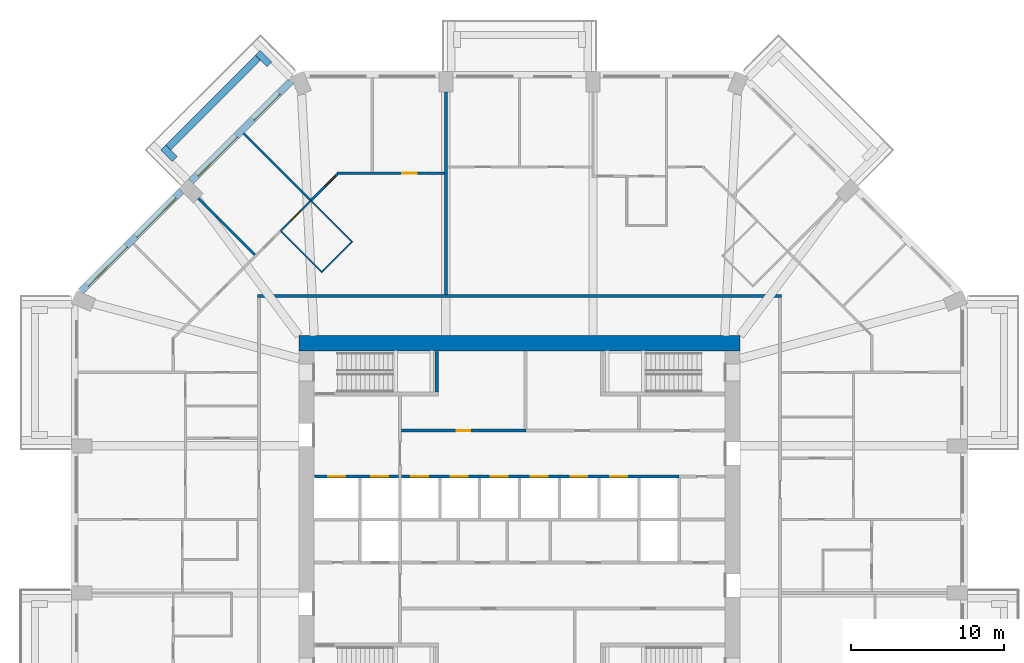
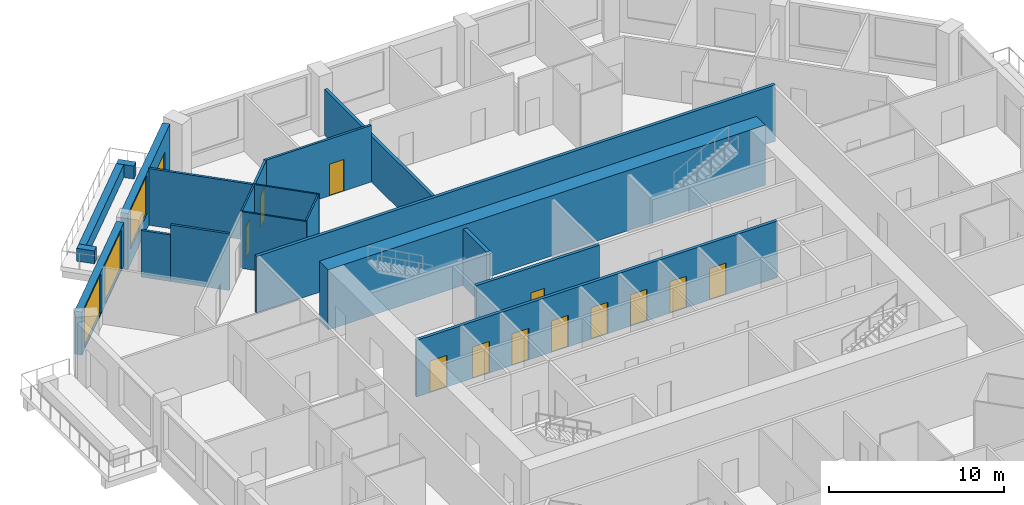
# One storey, part 8 of 13: 20 walls, 13 doors, 3 windows, 16 openings.
"""IFC4 building model written with IfcOpenShell, lengths in metres."""

from ifc_helpers import new_model, si_unit, direction, frame, frame_2d, origin, place, context, subcontext, project, spatial, rectangle, extrude, material, layer, layer_set, type_object, element, fill, save


model = new_model("IFC4")

# Units and contexts
model_context = context("Model", 3, precision=1e-05, world=origin(), true_north=direction((0.0, 1.0)))
body_context = subcontext(model_context, "Body", "Model", "MODEL_VIEW")
ifc_project = project(units=[si_unit("LENGTHUNIT", "METRE"), si_unit("AREAUNIT", "SQUARE_METRE"), si_unit("VOLUMEUNIT", "CUBIC_METRE"), si_unit("PLANEANGLEUNIT", "RADIAN"), si_unit("MASSUNIT", "GRAM", prefix="KILO")], contexts=[model_context])

# Site, building, storey
site_placement = place(None, origin())
site = spatial("IfcSite", under=ifc_project, at=site_placement, CompositionType="ELEMENT")
building_placement = place(site_placement, origin())
building = spatial("IfcBuilding", under=site, at=building_placement, Name="Msitu Wima Residences", CompositionType="ELEMENT")
storey_placement = place(building_placement, frame((0.0, 0.0, 59.10009765625)))
storey = spatial("IfcBuildingStorey", under=building, at=storey_placement, Name="L13", CompositionType="ELEMENT", Elevation=59.10009765625)

# Walls
ifc_material_1 = material(Name="Facing brick")
ifc_layer_1 = layer(ifc_material_1, 0.06494140625, Name="Facing brick")
ifc_material_2 = material(Name="Concrete C40/50", Category="concrete")
ifc_layer_2 = layer(ifc_material_2, 0.156005859375, Name="Concrete C40/50")
ifc_material_3 = material(Name="Waterproofing membrane")
ifc_layer_3 = layer(ifc_material_3, 0.00390625, Name="Waterproofing membrane")
ifc_material_4 = material(Name="Planting soil and planting")
ifc_layer_4 = layer(ifc_material_4, 0.22509765625, Name="Planting soil and planting")
ifc_layer_set_1 = layer_set([ifc_layer_1, ifc_layer_2, ifc_layer_3, ifc_layer_4], Name="Concrete C40/50")
wall_type_1 = type_object("IfcWallType", Name="Balcony planter PLANTER PL450", PredefinedType="USERDEFINED", material=ifc_layer_set_1)
wall_1_placement = place(storey_placement, frame((-17.0693359375, 30.125732421875, 0.0), z_axis=(0.0, 0.0, 1.0), x_axis=(-0.707106781187, -0.707106781187, 0.0)))
element("IfcWall", 1, at=wall_1_placement, inside=storey, type_object=wall_type_1, Name="Balcony planter NW0 L13", ObjectType="PLANTER", PredefinedType="USERDEFINED", context=body_context, shape_type="SweptSolid", body=[
    extrude(rectangle(XDim=8.2822265625, YDim=0.449951171875, at=frame_2d((4.14111328125, 0.0))), origin(), (0.0, 0.0, 1.0), 0.89990234375),
])
for number, where, z_axis, x_axis, name in (
    (2, (-16.326904296875, 29.70166015625, 0.0), (0.0, 0.0, 1.0), (-0.707106781187, 0.707106781187, 0.0), "Balcony planter NW0 L13"),
    (3, (-22.50146484375, 23.52685546875, 0.0), (0.0, 0.0, 1.0), (-0.707223014731, 0.706990528533, 0.0), "Balcony planter NW0 L13"),
):
    element("IfcWall", number, at=place(storey_placement, frame(where, z_axis=z_axis, x_axis=x_axis)), inside=storey, type_object=wall_type_1, Name=name, ObjectType="PLANTER", PredefinedType="USERDEFINED", context=body_context, shape_type="SweptSolid", body=[
        extrude(rectangle(XDim=1.050048828125, YDim=0.449951171875, at=frame_2d((0.52490234375, 0.0))), origin(), (0.0, 0.0, 1.0), 0.89990234375),
    ])

# Wall, openings, door, window
ifc_material_5 = material(Name="Brick (red buff mix)", Category="masonry")
ifc_layer_5 = layer(ifc_material_5, 0.449951171875)
ifc_layer_set_2 = layer_set([ifc_layer_5], Name="Brick (red buff mix)")
wall_type_2 = type_object("IfcWallType", Name="Brick infill wall BW450", PredefinedType="SOLIDWALL", material=ifc_layer_set_2)
wall_2_placement = place(storey_placement, frame((-14.903564453125, 28.61474609375, 0.0), z_axis=(0.0, 0.0, 1.0), x_axis=(-0.707106781187, -0.707106781187, 0.0)))
wall_2 = element("IfcWall", 4, at=wall_2_placement, inside=storey, type_object=wall_type_2, Name="Brick infill wall L13 NW0", PredefinedType="SOLIDWALL", context=body_context, shape_type="SweptSolid", body=[
    extrude(rectangle(XDim=9.2451171875, YDim=0.449951171875, at=frame_2d((4.62255859375, 0.0))), origin(), (0.0, 0.0, 1.0), 3.89990234375),
])
opening_1_placement = place(wall_2_placement, frame((1.111328125, 0.0, 0.0)))
opening_1 = element("IfcOpeningElement", 5, at=opening_1_placement, cuts=wall_2, Name="Opening D13-15.005", PredefinedType="OPENING", context=body_context, shape_type="SweptSolid", body=[
    extrude(rectangle(XDim=2.39990234375, YDim=2.699951171875, at=frame_2d((1.199951171875, 1.35009765625))), frame((0.0, 0.23486328125, 0.0), z_axis=(0.0, -1.0, 0.0), x_axis=(1.0, 0.0, 0.0)), (0.0, 0.0, 1.0), 0.469970703125),
])
opening_2_placement = place(wall_2_placement, frame((5.072509765625, 0.0, 1.050048828125)))
opening_2 = element("IfcOpeningElement", 6, at=opening_2_placement, cuts=wall_2, Name="Opening W13-15.013", PredefinedType="OPENING", context=body_context, shape_type="SweptSolid", body=[
    extrude(rectangle(XDim=3.60009765625, YDim=2.699951171875, at=frame_2d((1.800048828125, 1.35009765625))), frame((0.0, 0.23486328125, 0.0), z_axis=(0.0, -1.0, 0.0), x_axis=(1.0, 0.0, 0.0)), (0.0, 0.0, 1.0), 0.469970703125),
])
ifc_material_6 = material(Name="Anodised aluminium, bronze finish, clear low-emissivity double glazing", Category="aluminium")
door_type_1 = type_object("IfcDoorType", Name="Balcony door D2400x2700", OperationType="SLIDING_TO_LEFT", PredefinedType="DOOR", material=ifc_material_6)
door_1_placement = place(opening_1_placement, origin())
door_1 = element("IfcDoor", 7, at=door_1_placement, inside=storey, type_object=door_type_1, Name="Balcony door L13 NW0", OperationType="SINGLE_SWING_LEFT", OverallHeight=2.699951171875, OverallWidth=2.39990234375, PredefinedType="DOOR", context=body_context, shape_type="SweptSolid", body=[
    extrude(rectangle(XDim=2.39990234375, YDim=2.699951171875, at=frame_2d((1.199951171875, 1.35009765625))), frame((0.0, 0.1298828125, 0.0), z_axis=(0.0, -1.0, 0.0), x_axis=(1.0, 0.0, 0.0)), (0.0, 0.0, 1.0), 0.050048828125),
])
fill(opening_1, door_1)
window_type = type_object("IfcWindowType", Name="Window W3600x2700", PartitioningType="DOUBLE_PANEL_VERTICAL", PredefinedType="WINDOW", material=ifc_material_6)
window_1_placement = place(opening_2_placement, origin())
window_1 = element("IfcWindow", 8, at=window_1_placement, inside=storey, type_object=window_type, Name="Window L13 NW0.2", OverallHeight=2.699951171875, OverallWidth=3.60009765625, PartitioningType="SINGLE_PANEL", PredefinedType="WINDOW", context=body_context, shape_type="SweptSolid", body=[
    extrude(rectangle(XDim=3.60009765625, YDim=2.699951171875, at=frame_2d((1.800048828125, 1.35009765625))), frame((0.0, 0.135009765625, 0.0), z_axis=(0.0, -1.0, 0.0), x_axis=(1.0, 0.0, 0.0)), (0.0, 0.0, 1.0), 0.06005859375),
])
fill(opening_2, window_1)

# Wall, openings, windows
wall_3_placement = place(storey_placement, frame((-22.077392578125, 21.44091796875, 0.89990234375), z_axis=(0.0, 0.0, 1.0), x_axis=(-0.707106781187, -0.707106781187, 0.0)))
wall_3 = element("IfcWall", 9, at=wall_3_placement, inside=storey, type_object=wall_type_2, Name="Brick infill wall L13 NW1", PredefinedType="SOLIDWALL", context=body_context, shape_type="SweptSolid", body=[
    extrude(rectangle(XDim=9.2451171875, YDim=0.449951171875, at=frame_2d((4.62255859375, 0.0))), origin(), (0.0, 0.0, 1.0), 3.0),
])
opening_3_placement = place(wall_3_placement, frame((0.572509765625, 0.0, 0.14990234375)))
opening_3 = element("IfcOpeningElement", 10, at=opening_3_placement, cuts=wall_3, Name="Opening W13-15.014", PredefinedType="OPENING", context=body_context, shape_type="SweptSolid", body=[
    extrude(rectangle(XDim=3.60009765625, YDim=2.699951171875, at=frame_2d((1.800048828125, 1.35009765625))), frame((0.0, 0.23486328125, 0.0), z_axis=(0.0, -1.0, 0.0), x_axis=(1.0, 0.0, 0.0)), (0.0, 0.0, 1.0), 0.469970703125),
])
opening_4_placement = place(wall_3_placement, frame((5.072509765625, 0.0, 0.14990234375)))
opening_4 = element("IfcOpeningElement", 11, at=opening_4_placement, cuts=wall_3, Name="Opening W13-15.015", PredefinedType="OPENING", context=body_context, shape_type="SweptSolid", body=[
    extrude(rectangle(XDim=3.60009765625, YDim=2.699951171875, at=frame_2d((1.800048828125, 1.35009765625))), frame((0.0, 0.23486328125, 0.0), z_axis=(0.0, -1.0, 0.0), x_axis=(1.0, 0.0, 0.0)), (0.0, 0.0, 1.0), 0.469970703125),
])
window_2_placement = place(opening_3_placement, origin())
window_2 = element("IfcWindow", 12, at=window_2_placement, inside=storey, type_object=window_type, Name="Window L13 NW1.1", OverallHeight=2.699951171875, OverallWidth=3.60009765625, PartitioningType="SINGLE_PANEL", PredefinedType="WINDOW", context=body_context, shape_type="SweptSolid", body=[
    extrude(rectangle(XDim=3.60009765625, YDim=2.699951171875, at=frame_2d((1.800048828125, 1.35009765625))), frame((0.0, 0.135009765625, 0.0), z_axis=(0.0, -1.0, 0.0), x_axis=(1.0, 0.0, 0.0)), (0.0, 0.0, 1.0), 0.06005859375),
])
fill(opening_3, window_2)
window_3_placement = place(opening_4_placement, origin())
window_3 = element("IfcWindow", 13, at=window_3_placement, inside=storey, type_object=window_type, Name="Window L13 NW1.2", OverallHeight=2.699951171875, OverallWidth=3.60009765625, PartitioningType="SINGLE_PANEL", PredefinedType="WINDOW", context=body_context, shape_type="SweptSolid", body=[
    extrude(rectangle(XDim=3.60009765625, YDim=2.699951171875, at=frame_2d((1.800048828125, 1.35009765625))), frame((0.0, 0.135009765625, 0.0), z_axis=(0.0, -1.0, 0.0), x_axis=(1.0, 0.0, 0.0)), (0.0, 0.0, 1.0), 0.06005859375),
])
fill(opening_4, window_3)

# Walls
ifc_material_7 = material(Name="Concrete C80/95", Category="concrete")
ifc_layer_6 = layer(ifc_material_7, 1.0)
ifc_layer_set_3 = layer_set([ifc_layer_6], Name="Concrete C80/95")
wall_type_3 = type_object("IfcWallType", Name="Core wall CW1000 C80/95", PredefinedType="SHEAR", material=ifc_layer_set_3)
wall_4_placement = place(storey_placement, frame((-14.39990234375, 11.5, 0.0), z_axis=(0.0, 0.0, 1.0), x_axis=(1.0, 0.0, 0.0)))
element("IfcWall", 14, at=wall_4_placement, inside=storey, type_object=wall_type_3, Name="Core wall", PredefinedType="SHEAR", context=body_context, shape_type="SweptSolid", body=[
    extrude(rectangle(XDim=28.7998046875, YDim=1.0, at=frame_2d((14.39990234375, 0.0))), origin(), (0.0, 0.0, 1.0), 4.199951171875),
])
ifc_material_8 = material(Name="Plaster")
ifc_layer_7 = layer(ifc_material_8, 0.011962890625, Name="Plaster")
ifc_material_9 = material(Name="Concrete blockwork", Category="masonry")
ifc_layer_8 = layer(ifc_material_9, 0.176025390625, Name="Concrete blockwork")
ifc_layer_9 = layer(ifc_material_8, 0.011962890625, Name="Plaster")
ifc_layer_set_4 = layer_set([ifc_layer_7, ifc_layer_8, ifc_layer_9], Name="Concrete blockwork")
wall_type_4 = type_object("IfcWallType", Name="Corridor wall FW200", PredefinedType="PARTITIONING", material=ifc_layer_set_4)
wall_5_placement = place(storey_placement, frame((-17.10009765625, 14.60009765625, 0.0), z_axis=(0.0, 0.0, 1.0), x_axis=(1.0, 0.0, 0.0)))
element("IfcWall", 15, at=wall_5_placement, inside=storey, type_object=wall_type_4, Name="Corridor wall", PredefinedType="PARTITIONING", context=body_context, shape_type="SweptSolid", body=[
    extrude(rectangle(XDim=34.2001953125, YDim=0.199951171875, at=frame_2d((17.10009765625, 0.0))), origin(), (0.0, 0.0, 1.0), 3.949951171875),
])

# Wall, opening, door
wall_6_placement = place(storey_placement, frame((-7.699951171875, 5.800048828125, 0.0), z_axis=(0.0, 0.0, 1.0), x_axis=(1.0, 0.0, 0.0)))
wall_6 = element("IfcWall", 16, at=wall_6_placement, inside=storey, type_object=wall_type_4, Name="Corridor wall", PredefinedType="PARTITIONING", context=body_context, shape_type="SweptSolid", body=[
    extrude(rectangle(XDim=8.119873046875, YDim=0.199951171875, at=frame_2d((4.06005859375, 0.0))), origin(), (0.0, 0.0, 1.0), 3.949951171875),
])
opening_5_placement = place(wall_6_placement, frame((3.60009765625, 0.0, 0.0)))
opening_5 = element("IfcOpeningElement", 17, at=opening_5_placement, cuts=wall_6, Name="Opening D13-15.019", PredefinedType="OPENING", context=body_context, shape_type="SweptSolid", body=[
    extrude(rectangle(XDim=0.89990234375, YDim=2.199951171875, at=frame_2d((0.449951171875, 1.10009765625))), frame((0.0, 0.10986328125, 0.0), z_axis=(0.0, -1.0, 0.0), x_axis=(1.0, 0.0, 0.0)), (0.0, 0.0, 1.0), 0.219970703125),
])
ifc_material_10 = material(Name="Timber flush door", Category="wood")
door_type_2 = type_object("IfcDoorType", Name="Service door D05 900x2200", OperationType="SINGLE_SWING_LEFT", PredefinedType="DOOR", material=ifc_material_10)
door_2_placement = place(opening_5_placement, origin())
door_2 = element("IfcDoor", 18, at=door_2_placement, inside=storey, type_object=door_type_2, Name="Service door", OperationType="SINGLE_SWING_LEFT", OverallHeight=2.199951171875, OverallWidth=0.89990234375, PredefinedType="DOOR", context=body_context, shape_type="SweptSolid", body=[
    extrude(rectangle(XDim=0.89990234375, YDim=2.199951171875, at=frame_2d((0.449951171875, 1.10009765625))), frame((0.0, 0.02490234375, 0.0), z_axis=(0.0, -1.0, 0.0), x_axis=(1.0, 0.0, 0.0)), (0.0, 0.0, 1.0), 0.050048828125),
])
fill(opening_5, door_2)

# Walls
ifc_layer_10 = layer(ifc_material_8, 0.011962890625, Name="Plaster")
ifc_layer_11 = layer(ifc_material_9, 0.1259765625, Name="Concrete blockwork")
ifc_layer_12 = layer(ifc_material_8, 0.011962890625, Name="Plaster")
ifc_layer_set_5 = layer_set([ifc_layer_10, ifc_layer_11, ifc_layer_12], Name="Concrete blockwork")
wall_type_5 = type_object("IfcWallType", Name="Partition PW150", PredefinedType="PARTITIONING", material=ifc_layer_set_5)
wall_7_placement = place(storey_placement, frame((-20.963623046875, 20.963623046875, 0.0), z_axis=(0.0, 0.0, 1.0), x_axis=(0.707106781187, -0.707106781187, 0.0)))
element("IfcWall", 19, at=wall_7_placement, inside=storey, type_object=wall_type_5, Name="Partition", PredefinedType="PARTITIONING", context=body_context, shape_type="SweptSolid", body=[
    extrude(rectangle(XDim=1.74853515625, YDim=0.14990234375, at=frame_2d((0.874267578125, 0.0))), origin(), (0.0, 0.0, 1.0), 3.25),
])
wall_8_placement = place(storey_placement, frame((-19.727294921875, 19.727294921875, 0.0), z_axis=(0.0, 0.0, 1.0), x_axis=(0.707106781187, -0.707106781187, 0.0)))
element("IfcWall", 20, at=wall_8_placement, inside=storey, type_object=wall_type_5, Name="Partition", PredefinedType="PARTITIONING", context=body_context, shape_type="SweptSolid", body=[
    extrude(rectangle(XDim=3.4765625, YDim=0.14990234375, at=frame_2d((1.73828125, 0.0))), origin(), (0.0, 0.0, 1.0), 3.949951171875),
])
wall_9_placement = place(storey_placement, frame((-18.017578125, 25.2177734375, 0.0), z_axis=(0.0, 0.0, 1.0), x_axis=(0.707087234081, -0.707126327752, 0.0)))
element("IfcWall", 21, at=wall_9_placement, inside=storey, type_object=wall_type_5, Name="Partition", PredefinedType="PARTITIONING", context=body_context, shape_type="SweptSolid", body=[
    extrude(rectangle(XDim=6.2451171875, YDim=0.14990234375, at=frame_2d((3.12255859375, 0.0))), origin(), (0.0, 0.0, 1.0), 3.949951171875),
])

# Wall, opening, door
wall_10_placement = place(storey_placement, frame((-13.601806640625, 20.830078125, 0.0), z_axis=(0.0, 0.0, 1.0), x_axis=(0.707106781187, 0.707106781187, 0.0)))
wall_10 = element("IfcWall", 22, at=wall_10_placement, inside=storey, type_object=wall_type_5, Name="Partition", PredefinedType="PARTITIONING", context=body_context, shape_type="SweptSolid", body=[
    extrude(rectangle(XDim=2.427978515625, YDim=0.14990234375, at=frame_2d((1.2138671875, 0.0))), origin(), (0.0, 0.0, 1.0), 3.949951171875),
])
opening_6_placement = place(wall_10_placement, frame((1.300048828125, 0.0, 0.0)))
opening_6 = element("IfcOpeningElement", 23, at=opening_6_placement, cuts=wall_10, Name="Opening D13-15.063", PredefinedType="OPENING", context=body_context, shape_type="SweptSolid", body=[
    extrude(rectangle(XDim=0.949951171875, YDim=2.199951171875, at=frame_2d((0.47509765625, 1.10009765625))), frame((0.0, 0.0849609375, 0.0), z_axis=(0.0, -1.0, 0.0), x_axis=(1.0, 0.0, 0.0)), (0.0, 0.0, 1.0), 0.169921875),
])
door_type_3 = type_object("IfcDoorType", Name="Room door D12 950x2200", OperationType="SINGLE_SWING_LEFT", PredefinedType="DOOR", material=ifc_material_10)
door_3_placement = place(opening_6_placement, origin())
door_3 = element("IfcDoor", 24, at=door_3_placement, inside=storey, type_object=door_type_3, Name="Room door", OperationType="SINGLE_SWING_LEFT", OverallHeight=2.199951171875, OverallWidth=0.949951171875, PredefinedType="DOOR", context=body_context, shape_type="SweptSolid", body=[
    extrude(rectangle(XDim=0.949951171875, YDim=2.199951171875, at=frame_2d((0.47509765625, 1.10009765625))), frame((0.0, 0.02490234375, 0.0), z_axis=(0.0, -1.0, 0.0), x_axis=(1.0, 0.0, 0.0)), (0.0, 0.0, 1.0), 0.050048828125),
])
fill(opening_6, door_3)

wall_11_placement = place(storey_placement, frame((-11.906982421875, 22.60009765625, 0.0), z_axis=(0.0, 0.0, 1.0), x_axis=(1.0, 0.0, 0.0)))
wall_11 = element("IfcWall", 25, at=wall_11_placement, inside=storey, type_object=wall_type_5, Name="Partition", PredefinedType="PARTITIONING", context=body_context, shape_type="SweptSolid", body=[
    extrude(rectangle(XDim=7.007080078125, YDim=0.14990234375, at=frame_2d((3.50341796875, 0.0))), origin(), (0.0, 0.0, 1.0), 3.949951171875),
])
opening_7_placement = place(wall_11_placement, frame((4.25, 0.0, 0.0)))
opening_7 = element("IfcOpeningElement", 26, at=opening_7_placement, cuts=wall_11, Name="Opening D13-15.058", PredefinedType="OPENING", context=body_context, shape_type="SweptSolid", body=[
    extrude(rectangle(XDim=0.949951171875, YDim=2.199951171875, at=frame_2d((0.47509765625, 1.10009765625))), frame((0.0, 0.0849609375, 0.0), z_axis=(0.0, -1.0, 0.0), x_axis=(1.0, 0.0, 0.0)), (0.0, 0.0, 1.0), 0.169921875),
])
door_4_placement = place(opening_7_placement, origin())
door_4 = element("IfcDoor", 27, at=door_4_placement, inside=storey, type_object=door_type_3, Name="Room door", OperationType="SINGLE_SWING_RIGHT", OverallHeight=2.199951171875, OverallWidth=0.949951171875, PredefinedType="DOOR", context=body_context, shape_type="SweptSolid", body=[
    extrude(rectangle(XDim=0.949951171875, YDim=2.199951171875, at=frame_2d((0.47509765625, 1.10009765625))), frame((0.0, 0.02490234375, 0.0), z_axis=(0.0, -1.0, 0.0), x_axis=(1.0, 0.0, 0.0)), (0.0, 0.0, 1.0), 0.050048828125),
])
fill(opening_7, door_4)

# Wall
ifc_layer_13 = layer(ifc_material_8, 0.011962890625, Name="Plaster")
ifc_material_11 = material(Name="Dense concrete blockwork", Category="masonry")
ifc_layer_14 = layer(ifc_material_11, 0.176025390625, Name="Dense concrete blockwork")
ifc_layer_15 = layer(ifc_material_8, 0.011962890625, Name="Plaster")
ifc_layer_set_6 = layer_set([ifc_layer_13, ifc_layer_14, ifc_layer_15], Name="Dense concrete blockwork")
wall_type_6 = type_object("IfcWallType", Name="Party wall PW200", PredefinedType="PARTITIONING", material=ifc_layer_set_6)
wall_12_placement = place(storey_placement, frame((-4.800048828125, 14.699951171875, 0.0), z_axis=(0.0, 0.0, 1.0), x_axis=(0.0, 1.0, 0.0)))
element("IfcWall", 28, at=wall_12_placement, inside=storey, type_object=wall_type_6, Name="Party wall", PredefinedType="PARTITIONING", context=body_context, shape_type="SweptSolid", body=[
    extrude(rectangle(XDim=13.199951171875, YDim=0.199951171875, at=frame_2d((6.60009765625, 0.0))), origin(), (0.0, 0.0, 1.0), 3.199951171875),
])

# Wall, openings, doors
ifc_material_12 = material(Name="Fire-rated board")
ifc_layer_16 = layer(ifc_material_12, 0.02490234375, Name="Fire-rated board")
ifc_material_13 = material(Name="Light-gauge stud framing with mineral wool")
ifc_layer_17 = layer(ifc_material_13, 0.14990234375, Name="Light-gauge stud framing with mineral wool")
ifc_layer_18 = layer(ifc_material_12, 0.02490234375, Name="Fire-rated board")
ifc_layer_set_7 = layer_set([ifc_layer_16, ifc_layer_17, ifc_layer_18], Name="Light-gauge stud framing with mineral wool")
wall_type_7 = type_object("IfcWallType", Name="Shaft wall SH200", PredefinedType="PARTITIONING", material=ifc_layer_set_7)
wall_13_placement = place(storey_placement, frame((-13.3701171875, 2.800048828125, 0.0), z_axis=(0.0, 0.0, 1.0), x_axis=(1.0, 0.0, 0.0)))
wall_13 = element("IfcWall", 29, at=wall_13_placement, inside=storey, type_object=wall_type_7, Name="Shaft wall", PredefinedType="PARTITIONING", context=body_context, shape_type="SweptSolid", body=[
    extrude(rectangle(XDim=23.77001953125, YDim=0.199951171875, at=frame_2d((11.885009765625, 0.0))), origin(), (0.0, 0.0, 1.0), 3.949951171875),
])
opening_8_placement = place(wall_13_placement, frame((0.89990234375, 0.0, 0.0)))
opening_8 = element("IfcOpeningElement", 30, at=opening_8_placement, cuts=wall_13, Name="Opening LD", PredefinedType="OPENING", context=body_context, shape_type="SweptSolid", body=[
    extrude(rectangle(XDim=1.10009765625, YDim=2.199951171875, at=frame_2d((0.550048828125, 1.10009765625))), frame((0.0, 0.10986328125, 0.0), z_axis=(0.0, -1.0, 0.0), x_axis=(1.0, 0.0, 0.0)), (0.0, 0.0, 1.0), 0.219970703125),
])
opening_9_placement = place(wall_13_placement, frame((3.699951171875, 0.0, 0.0)))
opening_9 = element("IfcOpeningElement", 31, at=opening_9_placement, cuts=wall_13, Name="Opening LD", PredefinedType="OPENING", context=body_context, shape_type="SweptSolid", body=[
    extrude(rectangle(XDim=1.10009765625, YDim=2.199951171875, at=frame_2d((0.550048828125, 1.10009765625))), frame((0.0, 0.10986328125, 0.0), z_axis=(0.0, -1.0, 0.0), x_axis=(1.0, 0.0, 0.0)), (0.0, 0.0, 1.0), 0.219970703125),
])
opening_10_placement = place(wall_13_placement, frame((6.300048828125, 0.0, 0.0)))
opening_10 = element("IfcOpeningElement", 32, at=opening_10_placement, cuts=wall_13, Name="Opening LD", PredefinedType="OPENING", context=body_context, shape_type="SweptSolid", body=[
    extrude(rectangle(XDim=1.10009765625, YDim=2.199951171875, at=frame_2d((0.550048828125, 1.10009765625))), frame((0.0, 0.10986328125, 0.0), z_axis=(0.0, -1.0, 0.0), x_axis=(1.0, 0.0, 0.0)), (0.0, 0.0, 1.0), 0.219970703125),
])
opening_11_placement = place(wall_13_placement, frame((8.89990234375, 0.0, 0.0)))
opening_11 = element("IfcOpeningElement", 33, at=opening_11_placement, cuts=wall_13, Name="Opening LD", PredefinedType="OPENING", context=body_context, shape_type="SweptSolid", body=[
    extrude(rectangle(XDim=1.10009765625, YDim=2.199951171875, at=frame_2d((0.550048828125, 1.10009765625))), frame((0.0, 0.10986328125, 0.0), z_axis=(0.0, -1.0, 0.0), x_axis=(1.0, 0.0, 0.0)), (0.0, 0.0, 1.0), 0.219970703125),
])
opening_12_placement = place(wall_13_placement, frame((11.5, 0.0, 0.0)))
opening_12 = element("IfcOpeningElement", 34, at=opening_12_placement, cuts=wall_13, Name="Opening LD", PredefinedType="OPENING", context=body_context, shape_type="SweptSolid", body=[
    extrude(rectangle(XDim=1.10009765625, YDim=2.199951171875, at=frame_2d((0.550048828125, 1.10009765625))), frame((0.0, 0.10986328125, 0.0), z_axis=(0.0, -1.0, 0.0), x_axis=(1.0, 0.0, 0.0)), (0.0, 0.0, 1.0), 0.219970703125),
])
opening_13_placement = place(wall_13_placement, frame((14.10009765625, 0.0, 0.0)))
opening_13 = element("IfcOpeningElement", 35, at=opening_13_placement, cuts=wall_13, Name="Opening LD", PredefinedType="OPENING", context=body_context, shape_type="SweptSolid", body=[
    extrude(rectangle(XDim=1.10009765625, YDim=2.199951171875, at=frame_2d((0.550048828125, 1.10009765625))), frame((0.0, 0.10986328125, 0.0), z_axis=(0.0, -1.0, 0.0), x_axis=(1.0, 0.0, 0.0)), (0.0, 0.0, 1.0), 0.219970703125),
])
opening_14_placement = place(wall_13_placement, frame((16.699951171875, 0.0, 0.0)))
opening_14 = element("IfcOpeningElement", 36, at=opening_14_placement, cuts=wall_13, Name="Opening LD", PredefinedType="OPENING", context=body_context, shape_type="SweptSolid", body=[
    extrude(rectangle(XDim=1.10009765625, YDim=2.199951171875, at=frame_2d((0.550048828125, 1.10009765625))), frame((0.0, 0.10986328125, 0.0), z_axis=(0.0, -1.0, 0.0), x_axis=(1.0, 0.0, 0.0)), (0.0, 0.0, 1.0), 0.219970703125),
])
opening_15_placement = place(wall_13_placement, frame((19.300048828125, 0.0, 0.0)))
opening_15 = element("IfcOpeningElement", 37, at=opening_15_placement, cuts=wall_13, Name="Opening LD", PredefinedType="OPENING", context=body_context, shape_type="SweptSolid", body=[
    extrude(rectangle(XDim=1.10009765625, YDim=2.199951171875, at=frame_2d((0.550048828125, 1.10009765625))), frame((0.0, 0.10986328125, 0.0), z_axis=(0.0, -1.0, 0.0), x_axis=(1.0, 0.0, 0.0)), (0.0, 0.0, 1.0), 0.219970703125),
])
ifc_material_14 = material(Name="Stainless steel centre-opening landing door, rated", Category="steel")
door_type_4 = type_object("IfcDoorType", Name="Lift landing door LD 1100x2200", OperationType="DOUBLE_DOOR_SLIDING", PredefinedType="DOOR", material=ifc_material_14)
door_5_placement = place(opening_8_placement, origin())
door_5 = element("IfcDoor", 38, at=door_5_placement, inside=storey, type_object=door_type_4, Name="Lift landing door LD1", OperationType="DOUBLE_DOOR_SLIDING", OverallHeight=2.199951171875, OverallWidth=1.10009765625, PredefinedType="DOOR", context=body_context, shape_type="SweptSolid", body=[
    extrude(rectangle(XDim=1.10009765625, YDim=2.199951171875, at=frame_2d((0.550048828125, 1.10009765625))), frame((0.0, 0.02490234375, 0.0), z_axis=(0.0, -1.0, 0.0), x_axis=(1.0, 0.0, 0.0)), (0.0, 0.0, 1.0), 0.050048828125),
])
fill(opening_8, door_5)
door_6_placement = place(opening_9_placement, origin())
door_6 = element("IfcDoor", 39, at=door_6_placement, inside=storey, type_object=door_type_4, Name="Lift landing door LD2", OperationType="DOUBLE_DOOR_SLIDING", OverallHeight=2.199951171875, OverallWidth=1.10009765625, PredefinedType="DOOR", context=body_context, shape_type="SweptSolid", body=[
    extrude(rectangle(XDim=1.10009765625, YDim=2.199951171875, at=frame_2d((0.550048828125, 1.10009765625))), frame((0.0, 0.02490234375, 0.0), z_axis=(0.0, -1.0, 0.0), x_axis=(1.0, 0.0, 0.0)), (0.0, 0.0, 1.0), 0.050048828125),
])
fill(opening_9, door_6)
door_7_placement = place(opening_10_placement, origin())
door_7 = element("IfcDoor", 40, at=door_7_placement, inside=storey, type_object=door_type_4, Name="Lift landing door LD4", OperationType="DOUBLE_DOOR_SLIDING", OverallHeight=2.199951171875, OverallWidth=1.10009765625, PredefinedType="DOOR", context=body_context, shape_type="SweptSolid", body=[
    extrude(rectangle(XDim=1.10009765625, YDim=2.199951171875, at=frame_2d((0.550048828125, 1.10009765625))), frame((0.0, 0.02490234375, 0.0), z_axis=(0.0, -1.0, 0.0), x_axis=(1.0, 0.0, 0.0)), (0.0, 0.0, 1.0), 0.050048828125),
])
fill(opening_10, door_7)
door_8_placement = place(opening_11_placement, origin())
door_8 = element("IfcDoor", 41, at=door_8_placement, inside=storey, type_object=door_type_4, Name="Lift landing door LD6", OperationType="DOUBLE_DOOR_SLIDING", OverallHeight=2.199951171875, OverallWidth=1.10009765625, PredefinedType="DOOR", context=body_context, shape_type="SweptSolid", body=[
    extrude(rectangle(XDim=1.10009765625, YDim=2.199951171875, at=frame_2d((0.550048828125, 1.10009765625))), frame((0.0, 0.02490234375, 0.0), z_axis=(0.0, -1.0, 0.0), x_axis=(1.0, 0.0, 0.0)), (0.0, 0.0, 1.0), 0.050048828125),
])
fill(opening_11, door_8)
door_9_placement = place(opening_12_placement, origin())
door_9 = element("IfcDoor", 42, at=door_9_placement, inside=storey, type_object=door_type_4, Name="Lift landing door LD8", OperationType="DOUBLE_DOOR_SLIDING", OverallHeight=2.199951171875, OverallWidth=1.10009765625, PredefinedType="DOOR", context=body_context, shape_type="SweptSolid", body=[
    extrude(rectangle(XDim=1.10009765625, YDim=2.199951171875, at=frame_2d((0.550048828125, 1.10009765625))), frame((0.0, 0.02490234375, 0.0), z_axis=(0.0, -1.0, 0.0), x_axis=(1.0, 0.0, 0.0)), (0.0, 0.0, 1.0), 0.050048828125),
])
fill(opening_12, door_9)
door_10_placement = place(opening_13_placement, origin())
door_10 = element("IfcDoor", 43, at=door_10_placement, inside=storey, type_object=door_type_4, Name="Lift landing door LD10", OperationType="DOUBLE_DOOR_SLIDING", OverallHeight=2.199951171875, OverallWidth=1.10009765625, PredefinedType="DOOR", context=body_context, shape_type="SweptSolid", body=[
    extrude(rectangle(XDim=1.10009765625, YDim=2.199951171875, at=frame_2d((0.550048828125, 1.10009765625))), frame((0.0, 0.02490234375, 0.0), z_axis=(0.0, -1.0, 0.0), x_axis=(1.0, 0.0, 0.0)), (0.0, 0.0, 1.0), 0.050048828125),
])
fill(opening_13, door_10)
door_11_placement = place(opening_14_placement, origin())
door_11 = element("IfcDoor", 44, at=door_11_placement, inside=storey, type_object=door_type_4, Name="Lift landing door LD12", OperationType="DOUBLE_DOOR_SLIDING", OverallHeight=2.199951171875, OverallWidth=1.10009765625, PredefinedType="DOOR", context=body_context, shape_type="SweptSolid", body=[
    extrude(rectangle(XDim=1.10009765625, YDim=2.199951171875, at=frame_2d((0.550048828125, 1.10009765625))), frame((0.0, 0.02490234375, 0.0), z_axis=(0.0, -1.0, 0.0), x_axis=(1.0, 0.0, 0.0)), (0.0, 0.0, 1.0), 0.050048828125),
])
fill(opening_14, door_11)
door_12_placement = place(opening_15_placement, origin())
door_12 = element("IfcDoor", 45, at=door_12_placement, inside=storey, type_object=door_type_4, Name="Lift landing door LD14", OperationType="DOUBLE_DOOR_SLIDING", OverallHeight=2.199951171875, OverallWidth=1.10009765625, PredefinedType="DOOR", context=body_context, shape_type="SweptSolid", body=[
    extrude(rectangle(XDim=1.10009765625, YDim=2.199951171875, at=frame_2d((0.550048828125, 1.10009765625))), frame((0.0, 0.02490234375, 0.0), z_axis=(0.0, -1.0, 0.0), x_axis=(1.0, 0.0, 0.0)), (0.0, 0.0, 1.0), 0.050048828125),
])
fill(opening_15, door_12)

# Wall
ifc_material_15 = material(Name="Concrete C50/60", Category="concrete")
ifc_layer_19 = layer(ifc_material_15, 0.25)
ifc_layer_set_8 = layer_set([ifc_layer_19], Name="Concrete C50/60")
wall_type_8 = type_object("IfcWallType", Name="Stair enclosure wall SW250", PredefinedType="SHEAR", material=ifc_layer_set_8)
wall_14_placement = place(storey_placement, frame((-5.39990234375, 8.324951171875, 0.0), z_axis=(0.0, 0.0, 1.0), x_axis=(0.0, 1.0, 0.0)))
element("IfcWall", 46, at=wall_14_placement, inside=storey, type_object=wall_type_8, Name="Stair enclosure wall", PredefinedType="SHEAR", context=body_context, shape_type="SweptSolid", body=[
    extrude(rectangle(XDim=2.64501953125, YDim=0.25, at=frame_2d((1.322509765625, 0.0))), origin(), (0.0, 0.0, 1.0), 3.949951171875),
])

# Wall, opening, door
ifc_material_16 = material(Name="Ceramic tiles")
ifc_layer_20 = layer(ifc_material_16, 0.008056640625, Name="Ceramic tiles")
ifc_material_17 = material(Name="Moisture-resistant board")
ifc_layer_21 = layer(ifc_material_17, 0.012451171875, Name="Moisture-resistant board")
ifc_layer_22 = layer(ifc_material_13, 0.06689453125, Name="Light-gauge stud framing with mineral wool")
ifc_layer_23 = layer(ifc_material_17, 0.012451171875, Name="Moisture-resistant board")
ifc_layer_set_9 = layer_set([ifc_layer_20, ifc_layer_21, ifc_layer_22, ifc_layer_23], Name="Light-gauge stud framing with mineral wool")
wall_type_9 = type_object("IfcWallType", Name="Wet wall PW100", PredefinedType="PARTITIONING", material=ifc_layer_set_9)
wall_15_placement = place(storey_placement, frame((-15.595947265625, 18.8359375, 0.0), z_axis=(0.0, 0.0, 1.0), x_axis=(0.707106781187, 0.707106781187, 0.0)))
wall_15 = element("IfcWall", 47, at=wall_15_placement, inside=storey, type_object=wall_type_9, Name="Wet wall", PredefinedType="PARTITIONING", context=body_context, shape_type="SweptSolid", body=[
    extrude(rectangle(XDim=2.820068359375, YDim=0.10009765625, at=frame_2d((1.41015625, 0.0))), origin(), (0.0, 0.0, 1.0), 3.949951171875),
])
opening_16_placement = place(wall_15_placement, frame((0.949951171875, 0.0, 0.0)))
opening_16 = element("IfcOpeningElement", 48, at=opening_16_placement, cuts=wall_15, Name="Opening D13-15.062", PredefinedType="OPENING", context=body_context, shape_type="SweptSolid", body=[
    extrude(rectangle(XDim=0.89990234375, YDim=2.199951171875, at=frame_2d((0.449951171875, 1.10009765625))), frame((0.0, 0.06005859375, 0.0), z_axis=(0.0, -1.0, 0.0), x_axis=(1.0, 0.0, 0.0)), (0.0, 0.0, 1.0), 0.1201171875),
])
ifc_material_18 = material(Name="Timber flush door, moisture resistant", Category="wood")
door_type_5 = type_object("IfcDoorType", Name="Bathroom door D03 900x2200", OperationType="SINGLE_SWING_LEFT", PredefinedType="DOOR", material=ifc_material_18)
door_13_placement = place(opening_16_placement, origin())
door_13 = element("IfcDoor", 49, at=door_13_placement, inside=storey, type_object=door_type_5, Name="Bathroom door", OperationType="SINGLE_SWING_RIGHT", OverallHeight=2.199951171875, OverallWidth=0.89990234375, PredefinedType="DOOR", context=body_context, shape_type="SweptSolid", body=[
    extrude(rectangle(XDim=0.89990234375, YDim=2.199951171875, at=frame_2d((0.449951171875, 1.10009765625))), frame((0.0, 0.02490234375, 0.0), z_axis=(0.0, -1.0, 0.0), x_axis=(1.0, 0.0, 0.0)), (0.0, 0.0, 1.0), 0.050048828125),
])
fill(opening_16, door_13)

# Walls
wall_16_placement = place(storey_placement, frame((-15.560546875, 18.80078125, 0.0), z_axis=(0.0, 0.0, 1.0), x_axis=(0.707106781187, -0.707106781187, 0.0)))
element("IfcWall", 50, at=wall_16_placement, inside=storey, type_object=wall_type_9, Name="Wet wall", PredefinedType="PARTITIONING", context=body_context, shape_type="SweptSolid", body=[
    extrude(rectangle(XDim=3.800048828125, YDim=0.10009765625, at=frame_2d((1.89990234375, 0.0))), origin(), (0.0, 0.0, 1.0), 3.949951171875),
])
wall_17_placement = place(storey_placement, frame((-13.601806640625, 20.8017578125, 0.0), z_axis=(0.0, 0.0, 1.0), x_axis=(0.707106781187, -0.707106781187, 0.0)))
element("IfcWall", 51, at=wall_17_placement, inside=storey, type_object=wall_type_9, Name="Wet wall", PredefinedType="PARTITIONING", context=body_context, shape_type="SweptSolid", body=[
    extrude(rectangle(XDim=3.830078125, YDim=0.10009765625, at=frame_2d((1.9150390625, 0.0))), origin(), (0.0, 0.0, 1.0), 3.949951171875),
])
wall_18_placement = place(storey_placement, frame((-12.87353515625, 16.184326171875, 0.0), z_axis=(0.0, 0.0, 1.0), x_axis=(0.707106781187, 0.707106781187, 0.0)))
element("IfcWall", 52, at=wall_18_placement, inside=storey, type_object=wall_type_9, Name="Wet wall", PredefinedType="PARTITIONING", context=body_context, shape_type="SweptSolid", body=[
    extrude(rectangle(XDim=2.699951171875, YDim=0.10009765625, at=frame_2d((1.35009765625, 0.0))), origin(), (0.0, 0.0, 1.0), 3.949951171875),
])

save(model, "model.ifc")
